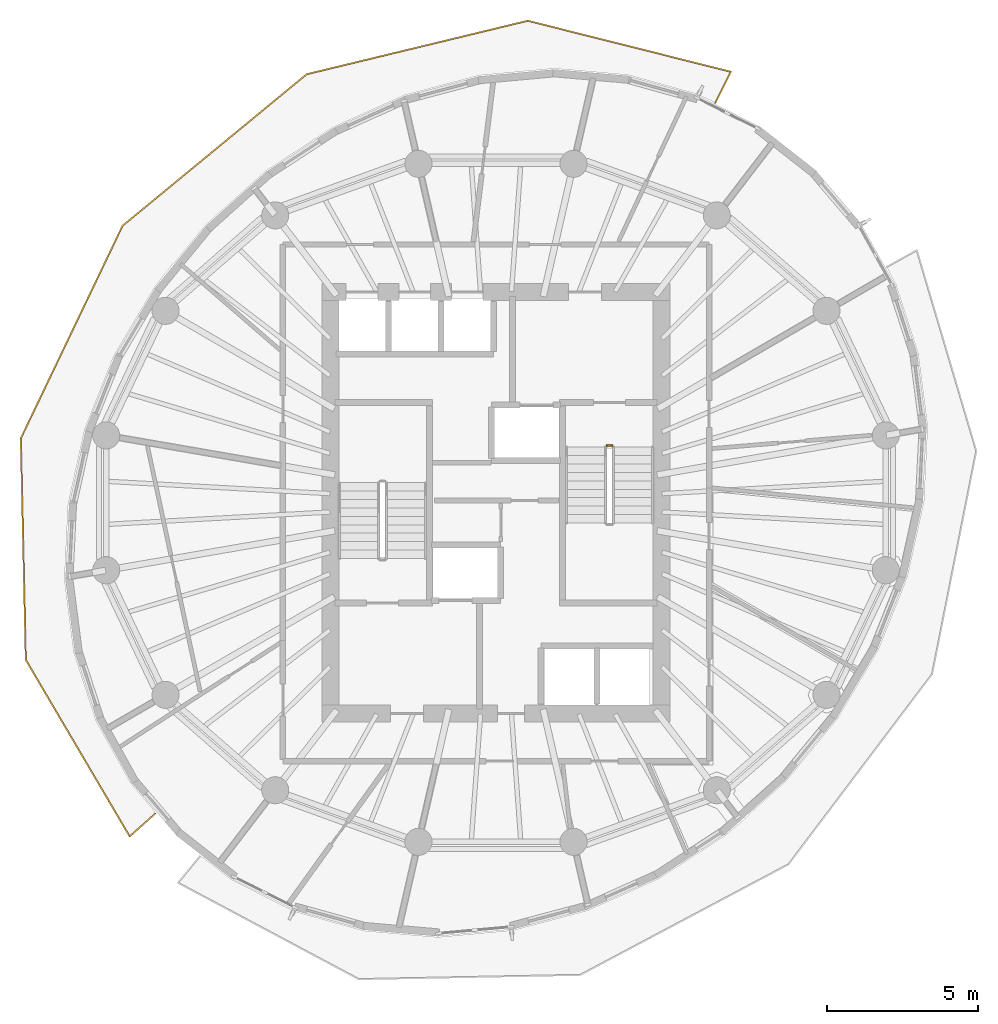
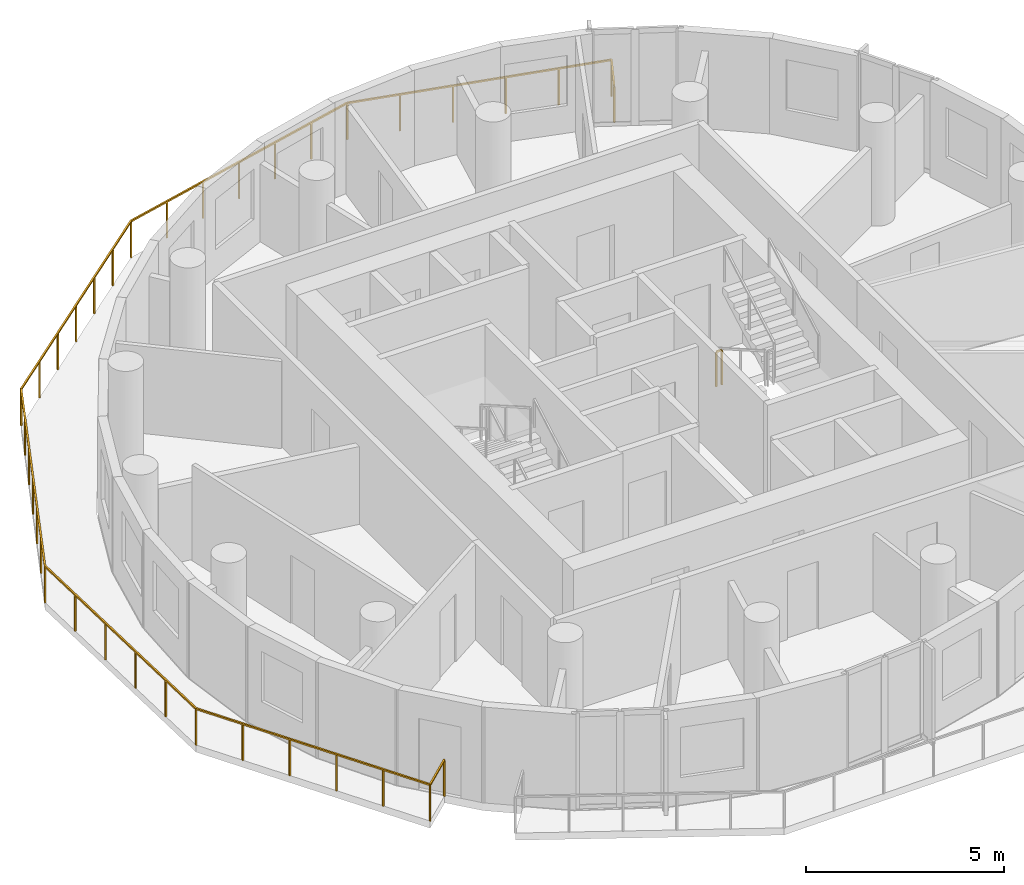
# One storey, part 9 of 10: 2 railings.
"""IFC4 building model written with IfcOpenShell, lengths in metres."""

from ifc_helpers import new_model, si_unit, direction, frame, origin, origin_2d, place, context, subcontext, project, spatial, rectangle, extrude, material, type_object, element, save


model = new_model("IFC4")

# Units and contexts
model_context = context("Model", 3, precision=1e-05, world=origin(), true_north=direction((0.0, 1.0)))
body_context = subcontext(model_context, "Body", "Model", "MODEL_VIEW")
ifc_project = project(units=[si_unit("LENGTHUNIT", "METRE"), si_unit("AREAUNIT", "SQUARE_METRE"), si_unit("VOLUMEUNIT", "CUBIC_METRE"), si_unit("PLANEANGLEUNIT", "RADIAN"), si_unit("MASSUNIT", "GRAM", prefix="KILO")], contexts=[model_context])

# Site, building, storey
site_placement = place(None, origin())
site = spatial("IfcSite", under=ifc_project, at=site_placement, CompositionType="ELEMENT")
building_placement = place(site_placement, origin())
building = spatial("IfcBuilding", under=site, at=building_placement, Name="Veldorim Arch Residences", CompositionType="ELEMENT")
storey_placement = place(building_placement, frame((0.0, 0.0, 191.840087890625)))
storey = spatial("IfcBuildingStorey", under=building, at=storey_placement, Name="L57", CompositionType="ELEMENT", Elevation=191.840087890625)

# Railings
ifc_material_1 = material(Name="Aluminium", Category="aluminium")
railing_type_1 = type_object("IfcRailingType", Name="Balcony & Terrace Laminated Glass Balustrade 1150", PredefinedType="BALUSTRADE", material=ifc_material_1)
railing_1_placement = place(storey_placement, frame((39.28564453125, 37.28955078125, 0.0)))
element("IfcRailing", 1, at=railing_1_placement, inside=storey, type_object=railing_type_1, Name="L57 crescent balcony safety balustrade A", PredefinedType="BALUSTRADE", context=body_context, shape_type="SweptSolid", body=[
    extrude(rectangle(XDim=0.048095703125, YDim=0.048095703125, at=origin_2d()), frame((0.0, 0.0, 1.1259765625), z_axis=(0.447723022826, 0.894172295943, 0.0), x_axis=(-0.894172295943, 0.447723022826, 0.0)), (0.0, 0.0, 1.0), 1.150146484375),
    extrude(rectangle(XDim=0.048095703125, YDim=0.048095703125, at=origin_2d()), frame((0.514892578125, 1.0283203125, 1.1259765625), z_axis=(-0.969867306895, 0.243633755906, 0.0), x_axis=(-0.243633755906, -0.969867306895, 0.0)), (0.0, 0.0, 1.0), 6.95654296875),
    extrude(rectangle(XDim=0.048095703125, YDim=0.048095703125, at=origin_2d()), frame((-6.23193359375, 2.72314453125, 1.1259765625), z_axis=(-0.971974853361, -0.235084845181, 0.0), x_axis=(0.235084845181, -0.971974853361, 0.0)), (0.0, 0.0, 1.0), 7.55517578125),
    extrude(rectangle(XDim=0.048095703125, YDim=0.048095703125, at=origin_2d()), frame((-13.575439453125, 0.947021484375, 1.1259765625), z_axis=(-0.772143770454, -0.63544787178, 0.0), x_axis=(0.63544787178, -0.772143770454, 0.0)), (0.0, 0.0, 1.0), 7.919189453125),
    extrude(rectangle(XDim=0.048095703125, YDim=0.048095703125, at=origin_2d()), frame((-19.690185546875, -4.085205078125, 1.1259765625), z_axis=(-0.431709195484, -0.902012843886, 0.0), x_axis=(0.902012843886, -0.431709195484, 0.0)), (0.0, 0.0, 1.0), 7.831298828125),
    extrude(rectangle(XDim=0.048095703125, YDim=0.048095703125, at=origin_2d()), frame((-23.071044921875, -11.149169921875, 1.1259765625), z_axis=(0.022566116971, -0.99974535276, 0.0), x_axis=(0.99974535276, 0.022566116971, 0.0)), (0.0, 0.0, 1.0), 7.35693359375),
    extrude(rectangle(XDim=0.048095703125, YDim=0.048095703125, at=origin_2d()), frame((-22.905029296875, -18.504150390625, 1.1259765625), z_axis=(0.506946480166, -0.861977532333, 0.0), x_axis=(0.861977532333, 0.506946480166, 0.0)), (0.0, 0.0, 1.0), 6.809326171875),
    extrude(rectangle(XDim=0.048095703125, YDim=0.048095703125, at=origin_2d()), frame((-19.453125, -24.37353515625, 1.1259765625), z_axis=(0.745485535106, 0.666521805305, 0.0), x_axis=(-0.666521805305, 0.745485535106, 0.0)), (0.0, 0.0, 1.0), 1.150146484375),
    extrude(rectangle(XDim=0.0419921875, YDim=0.0419921875, at=origin_2d()), origin(), (0.0, 0.0, 1.0), 1.101806640625),
    extrude(rectangle(XDim=0.0419921875, YDim=0.0419921875, at=origin_2d()), frame((0.514892578125, 1.0283203125, 0.0)), (0.0, 0.0, 1.0), 1.101806640625),
    extrude(rectangle(XDim=0.0419921875, YDim=0.0419921875, at=origin_2d()), frame((-0.83447265625, 1.3671875, 0.0)), (0.0, 0.0, 1.0), 1.101806640625),
    extrude(rectangle(XDim=0.0419921875, YDim=0.0419921875, at=origin_2d()), frame((-2.183837890625, 1.706298828125, 0.0)), (0.0, 0.0, 1.0), 1.101806640625),
    extrude(rectangle(XDim=0.0419921875, YDim=0.0419921875, at=origin_2d()), frame((-3.533203125, 2.045166015625, 0.0)), (0.0, 0.0, 1.0), 1.101806640625),
    extrude(rectangle(XDim=0.0419921875, YDim=0.0419921875, at=origin_2d()), frame((-4.882568359375, 2.38427734375, 0.0)), (0.0, 0.0, 1.0), 1.101806640625),
    extrude(rectangle(XDim=0.0419921875, YDim=0.0419921875, at=origin_2d()), frame((-6.23193359375, 2.72314453125, 0.0)), (0.0, 0.0, 1.0), 1.101806640625),
    extrude(rectangle(XDim=0.0419921875, YDim=0.0419921875, at=origin_2d()), frame((-7.455810546875, 2.42724609375, 0.0)), (0.0, 0.0, 1.0), 1.101806640625),
    extrude(rectangle(XDim=0.0419921875, YDim=0.0419921875, at=origin_2d()), frame((-8.6796875, 2.131103515625, 0.0)), (0.0, 0.0, 1.0), 1.101806640625),
    extrude(rectangle(XDim=0.0419921875, YDim=0.0419921875, at=origin_2d()), frame((-9.90380859375, 1.8349609375, 0.0)), (0.0, 0.0, 1.0), 1.101806640625),
    extrude(rectangle(XDim=0.0419921875, YDim=0.0419921875, at=origin_2d()), frame((-11.127685546875, 1.5390625, 0.0)), (0.0, 0.0, 1.0), 1.101806640625),
    extrude(rectangle(XDim=0.0419921875, YDim=0.0419921875, at=origin_2d()), frame((-12.3515625, 1.2431640625, 0.0)), (0.0, 0.0, 1.0), 1.101806640625),
    extrude(rectangle(XDim=0.0419921875, YDim=0.0419921875, at=origin_2d()), frame((-13.575439453125, 0.947021484375, 0.0)), (0.0, 0.0, 1.0), 1.101806640625),
    extrude(rectangle(XDim=0.0419921875, YDim=0.0419921875, at=origin_2d()), frame((-14.594482421875, 0.1083984375, 0.0)), (0.0, 0.0, 1.0), 1.101806640625),
    extrude(rectangle(XDim=0.0419921875, YDim=0.0419921875, at=origin_2d()), frame((-15.61376953125, -0.73046875, 0.0)), (0.0, 0.0, 1.0), 1.101806640625),
    extrude(rectangle(XDim=0.0419921875, YDim=0.0419921875, at=origin_2d()), frame((-16.6328125, -1.569091796875, 0.0)), (0.0, 0.0, 1.0), 1.101806640625),
    extrude(rectangle(XDim=0.0419921875, YDim=0.0419921875, at=origin_2d()), frame((-17.65185546875, -2.40771484375, 0.0)), (0.0, 0.0, 1.0), 1.101806640625),
    extrude(rectangle(XDim=0.0419921875, YDim=0.0419921875, at=origin_2d()), frame((-18.671142578125, -3.24658203125, 0.0)), (0.0, 0.0, 1.0), 1.101806640625),
    extrude(rectangle(XDim=0.0419921875, YDim=0.0419921875, at=origin_2d()), frame((-19.690185546875, -4.085205078125, 0.0)), (0.0, 0.0, 1.0), 1.101806640625),
    extrude(rectangle(XDim=0.0419921875, YDim=0.0419921875, at=origin_2d()), frame((-20.253662109375, -5.262451171875, 0.0)), (0.0, 0.0, 1.0), 1.101806640625),
    extrude(rectangle(XDim=0.0419921875, YDim=0.0419921875, at=origin_2d()), frame((-20.817138671875, -6.43994140625, 0.0)), (0.0, 0.0, 1.0), 1.101806640625),
    extrude(rectangle(XDim=0.0419921875, YDim=0.0419921875, at=origin_2d()), frame((-21.380615234375, -7.6171875, 0.0)), (0.0, 0.0, 1.0), 1.101806640625),
    extrude(rectangle(XDim=0.0419921875, YDim=0.0419921875, at=origin_2d()), frame((-21.944091796875, -8.79443359375, 0.0)), (0.0, 0.0, 1.0), 1.101806640625),
    extrude(rectangle(XDim=0.0419921875, YDim=0.0419921875, at=origin_2d()), frame((-22.507568359375, -9.971923828125, 0.0)), (0.0, 0.0, 1.0), 1.101806640625),
    extrude(rectangle(XDim=0.0419921875, YDim=0.0419921875, at=origin_2d()), frame((-23.071044921875, -11.149169921875, 0.0)), (0.0, 0.0, 1.0), 1.101806640625),
    extrude(rectangle(XDim=0.0419921875, YDim=0.0419921875, at=origin_2d()), frame((-23.037841796875, -12.6201171875, 0.0)), (0.0, 0.0, 1.0), 1.101806640625),
    extrude(rectangle(XDim=0.0419921875, YDim=0.0419921875, at=origin_2d()), frame((-23.004638671875, -14.091064453125, 0.0)), (0.0, 0.0, 1.0), 1.101806640625),
    extrude(rectangle(XDim=0.0419921875, YDim=0.0419921875, at=origin_2d()), frame((-22.971435546875, -15.562255859375, 0.0)), (0.0, 0.0, 1.0), 1.101806640625),
    extrude(rectangle(XDim=0.0419921875, YDim=0.0419921875, at=origin_2d()), frame((-22.938232421875, -17.033203125, 0.0)), (0.0, 0.0, 1.0), 1.101806640625),
    extrude(rectangle(XDim=0.0419921875, YDim=0.0419921875, at=origin_2d()), frame((-22.905029296875, -18.504150390625, 0.0)), (0.0, 0.0, 1.0), 1.101806640625),
    extrude(rectangle(XDim=0.0419921875, YDim=0.0419921875, at=origin_2d()), frame((-22.214599609375, -19.677978515625, 0.0)), (0.0, 0.0, 1.0), 1.101806640625),
    extrude(rectangle(XDim=0.0419921875, YDim=0.0419921875, at=origin_2d()), frame((-21.524169921875, -20.851806640625, 0.0)), (0.0, 0.0, 1.0), 1.101806640625),
    extrude(rectangle(XDim=0.0419921875, YDim=0.0419921875, at=origin_2d()), frame((-20.833984375, -22.02587890625, 0.0)), (0.0, 0.0, 1.0), 1.101806640625),
    extrude(rectangle(XDim=0.0419921875, YDim=0.0419921875, at=origin_2d()), frame((-20.1435546875, -23.19970703125, 0.0)), (0.0, 0.0, 1.0), 1.101806640625),
    extrude(rectangle(XDim=0.0419921875, YDim=0.0419921875, at=origin_2d()), frame((-19.453125, -24.37353515625, 0.0)), (0.0, 0.0, 1.0), 1.101806640625),
    extrude(rectangle(XDim=0.0419921875, YDim=0.0419921875, at=origin_2d()), frame((-18.595703125, -23.60693359375, 0.0)), (0.0, 0.0, 1.0), 1.101806640625),
])
ifc_material_2 = material(Name="Steel S355", Category="steel")
railing_type_2 = type_object("IfcRailingType", Name="Galvanised Steel Stair Safety Guardrail 1100", PredefinedType="GUARDRAIL", material=ifc_material_2)
railing_2_placement = place(storey_placement, frame((35.68994140625, 25.89990234375, 0.0)))
element("IfcRailing", 2, at=railing_2_placement, inside=storey, type_object=railing_type_2, Name="L57 ST-2 stair guard 4", PredefinedType="GUARDRAIL", context=body_context, shape_type="SweptSolid", body=[
    extrude(rectangle(XDim=0.048095703125, YDim=0.048095703125, at=origin_2d()), frame((0.0, 0.0, 1.076171875), z_axis=(1.0, 0.0, 0.0), x_axis=(0.0, 1.0, 0.0)), (0.0, 0.0, 1.0), 0.16015625),
    extrude(rectangle(XDim=0.0419921875, YDim=0.0419921875, at=origin_2d()), origin(), (0.0, 0.0, 1.0), 1.052001953125),
    extrude(rectangle(XDim=0.0419921875, YDim=0.0419921875, at=origin_2d()), frame((0.16015625, 0.0, 0.0)), (0.0, 0.0, 1.0), 1.052001953125),
])

save(model, "model.ifc")
